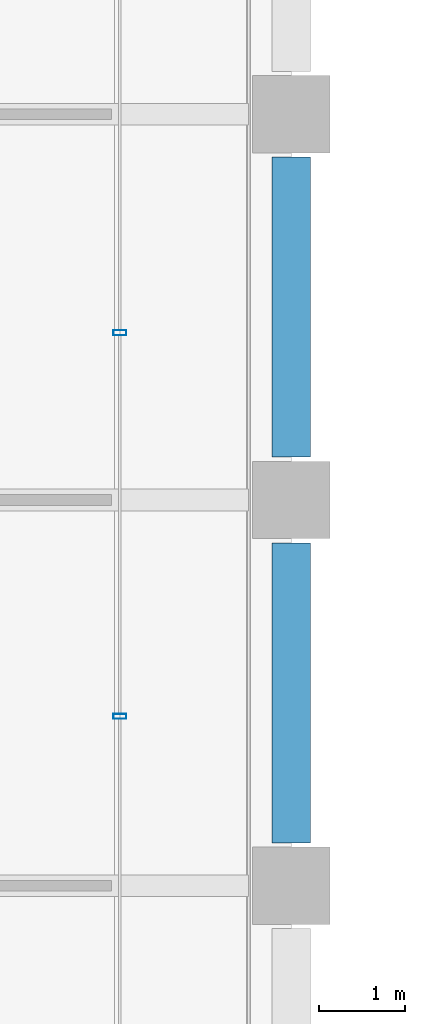
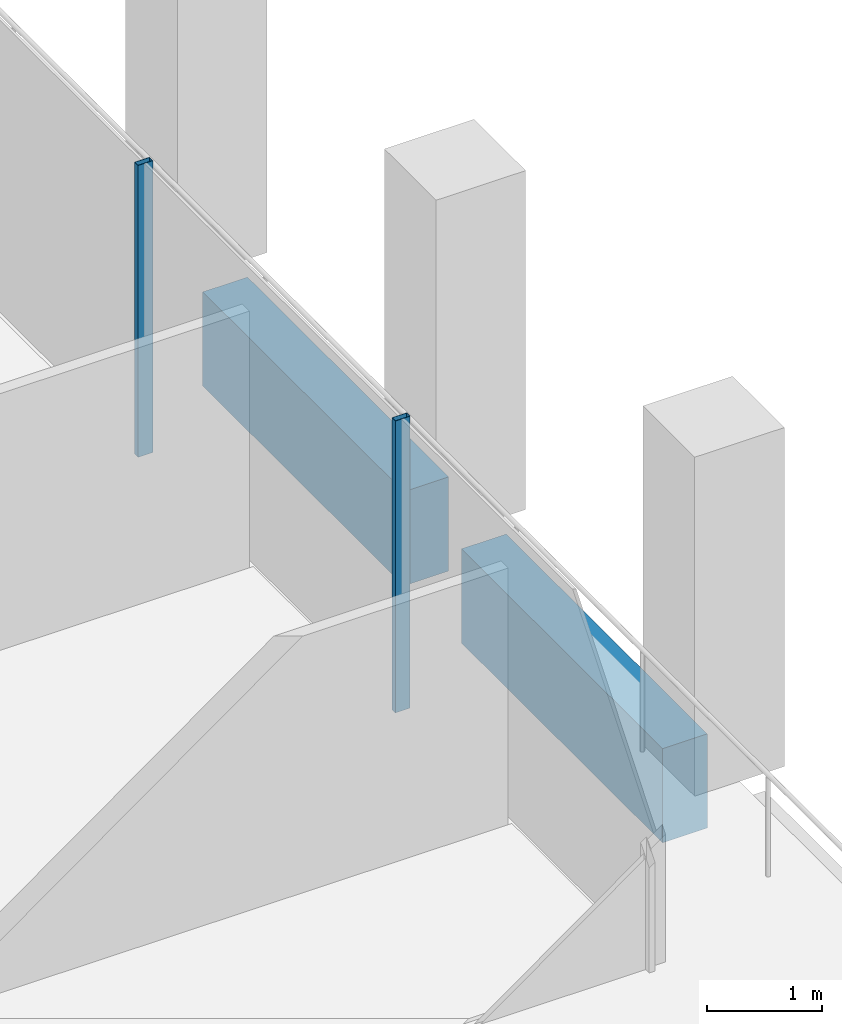
# One storey, part 15 of 44: 2 beams, 2 members, 1 element without a shape of its own.
"""IFC4 building model written with IfcOpenShell, lengths in metres."""

from ifc_helpers import new_model, si_unit, direction, frame, origin, origin_2d, place, context, subcontext, project, spatial, rectangle, hollow_rectangle, extrude, material, material_profile, profile_set, type_object, element, aggregate, save


model = new_model("IFC4")

# Units and contexts
model_context = context("Model", 3, precision=1e-05, world=origin(), true_north=direction((0.0, 1.0)))
body_context = subcontext(model_context, "Body", "Model", "MODEL_VIEW")
ifc_project = project(units=[si_unit("LENGTHUNIT", "METRE"), si_unit("AREAUNIT", "SQUARE_METRE"), si_unit("VOLUMEUNIT", "CUBIC_METRE"), si_unit("PLANEANGLEUNIT", "RADIAN"), si_unit("MASSUNIT", "GRAM", prefix="KILO")], contexts=[model_context])

# Site, building, storey
site_placement = place(None, origin())
site = spatial("IfcSite", under=ifc_project, at=site_placement, CompositionType="ELEMENT")
building_placement = place(site_placement, origin())
building = spatial("IfcBuilding", under=site, at=building_placement, Name="Altepetl Exchange Towers", CompositionType="ELEMENT")
storey_placement = place(building_placement, frame((0.0, 0.0, 143.800048828125)))
storey = spatial("IfcBuildingStorey", under=building, at=storey_placement, Name="L35", CompositionType="ELEMENT", Elevation=143.800048828125)

# Curtain wall, members
ifc_material_1 = material(Name="Aluminium 6063-T6 glazing", Category="aluminium")
curtain_wall_type = type_object("IfcCurtainWallType", Name="Loggia glazing system", PredefinedType="NOTDEFINED", material=ifc_material_1)
curtain_wall_placement = place(storey_placement, origin())
curtain_wall = element("IfcCurtainWall", 1, at=curtain_wall_placement, inside=storey, type_object=curtain_wall_type, Name="CW1 run", PredefinedType="NOTDEFINED")
ifc_material_2 = material(Name="Aluminium 6063-T6", Category="aluminium")
ifc_material_profile_1 = material_profile(ifc_material_2, hollow_rectangle(XDim=0.06005859375, YDim=0.14990234375, WallThickness=0.0029296875, at=origin_2d()), Name="Mullion 60x150 aluminium")
ifc_profile_set_1 = profile_set([ifc_material_profile_1], Name="Aluminium 6063-T6")
member_type = type_object("IfcMemberType", Name="Mullion 60x150 aluminium", PredefinedType="MULLION", material=ifc_profile_set_1)
member_1_placement = place(storey_placement, frame((70.0, 37.97607421875, 0.0), z_axis=(0.0, 0.0, 1.0), x_axis=(0.0, 1.0, 0.0)))
member_1 = element("IfcMember", 2, at=member_1_placement, type_object=member_type, Name="MU1 mullion", PredefinedType="MULLION", context=body_context, shape_type="SweptSolid", body=[
    extrude(hollow_rectangle(XDim=0.06005859375, YDim=0.14990234375, WallThickness=0.0029296875, at=origin_2d()), origin(), (0.0, 0.0, 1.0), 3.099853515625),
])
member_2_placement = place(storey_placement, frame((70.0, 42.451904296875, 0.0), z_axis=(0.0, 0.0, 1.0), x_axis=(0.0, 1.0, 0.0)))
member_2 = element("IfcMember", 3, at=member_2_placement, type_object=member_type, Name="MU1 mullion", PredefinedType="MULLION", context=body_context, shape_type="SweptSolid", body=[
    extrude(hollow_rectangle(XDim=0.06005859375, YDim=0.14990234375, WallThickness=0.0029296875, at=origin_2d()), origin(), (0.0, 0.0, 1.0), 3.099853515625),
])
aggregate(curtain_wall, [member_1, member_2])

# Beams
ifc_material_3 = material(Name="Concrete C50/60 precast with cantera amarilla facing", Category="concrete")
ifc_material_profile_2 = material_profile(ifc_material_3, rectangle(XDim=0.449951171875, YDim=1.0, at=origin_2d()), Name="450 x 1000")
ifc_profile_set_2 = profile_set([ifc_material_profile_2], Name="Concrete C50/60 precast with cantera amarilla facing")
beam_type = type_object("IfcBeamType", Name="Spandrel beam 450x1000 cantera amarilla", PredefinedType="SPANDREL", material=ifc_profile_set_2)
for number, where, z_axis, x_axis, name in (
    (4, (72.0, 36.5, -0.650146484375), (0.0, 1.0, 0.0), (-1.0, 0.0, 0.0), "sp:A:L35:013"),
    (5, (72.0, 41.0, -0.650146484375), (0.0, 1.0, 0.0), (-1.0, 0.0, 0.0), "sp:A:L35:014"),
):
    element("IfcBeam", number, at=place(storey_placement, frame(where, z_axis=z_axis, x_axis=x_axis)), inside=storey, type_object=beam_type, Name=name, PredefinedType="SPANDREL", context=body_context, shape_type="SweptSolid", body=[
        extrude(rectangle(XDim=0.449951171875, YDim=1.0, at=origin_2d()), origin(), (0.0, 0.0, 1.0), 3.5),
    ])

save(model, "model.ifc")
